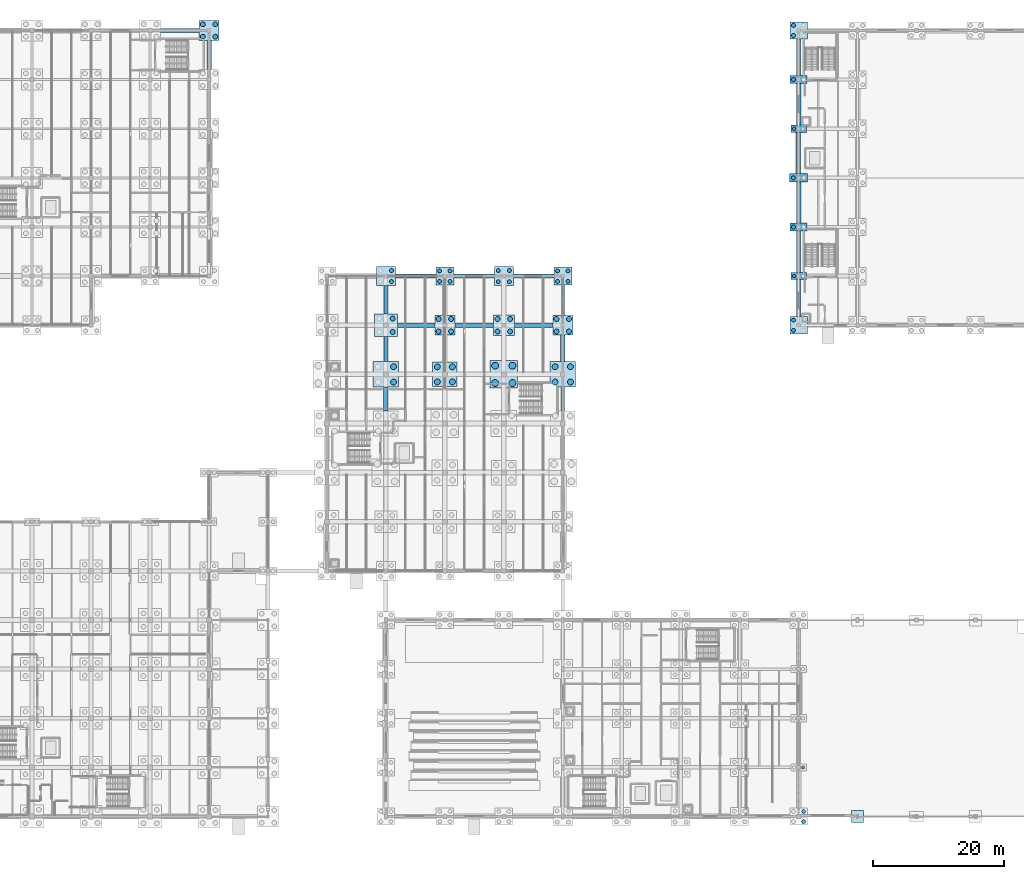
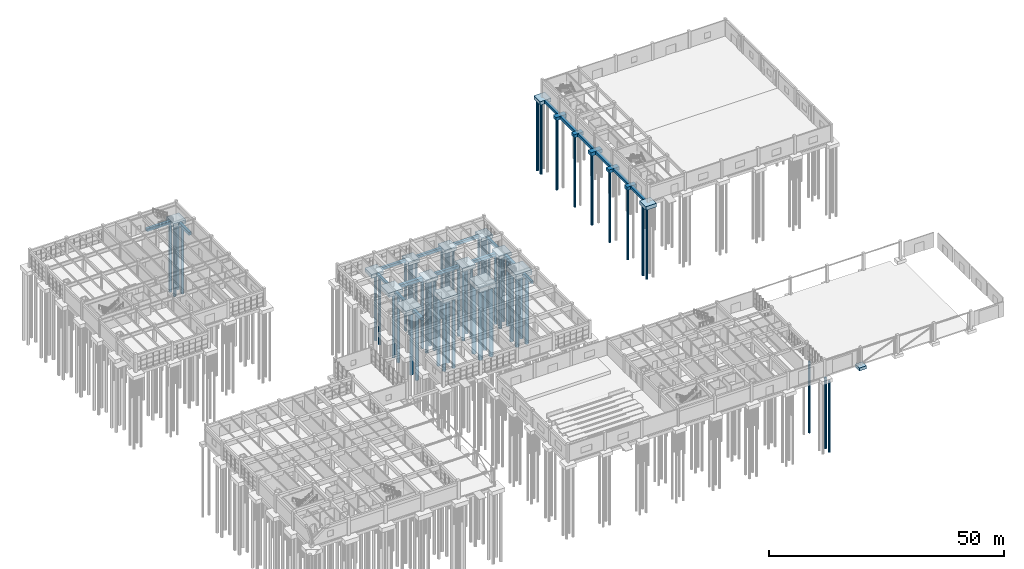
# One storey, part 7 of 93: 58 piles, 41 footings.
"""IFC4 building model written with IfcOpenShell, lengths in metres."""

from ifc_helpers import new_model, si_unit, direction, frame, origin, origin_2d, place, context, subcontext, project, spatial, rectangle, circle, extrude, material, material_profile, profile_set, type_object, element, save


model = new_model("IFC4")

# Units and contexts
model_context = context("Model", 3, precision=1e-05, world=origin(), true_north=direction((0.0, 1.0)))
body_context = subcontext(model_context, "Body", "Model", "MODEL_VIEW")
ifc_project = project(units=[si_unit("LENGTHUNIT", "METRE"), si_unit("AREAUNIT", "SQUARE_METRE"), si_unit("VOLUMEUNIT", "CUBIC_METRE"), si_unit("PLANEANGLEUNIT", "RADIAN"), si_unit("MASSUNIT", "GRAM", prefix="KILO")], contexts=[model_context])

# Site, building, storey
site_placement = place(None, origin())
site = spatial("IfcSite", under=ifc_project, at=site_placement, CompositionType="ELEMENT")
building_placement = place(site_placement, origin())
building = spatial("IfcBuilding", under=site, at=building_placement, Name="Marnridge Secondary College", CompositionType="ELEMENT")
storey_placement = place(building_placement, origin())
storey = spatial("IfcBuildingStorey", under=building, at=storey_placement, Name="L00", CompositionType="ELEMENT", Elevation=0.0)

# Footings
ifc_material_1 = material(Name="Concrete C40/50 (AS 3600 N40, 40 MPa)", Category="concrete")
footing_type_1 = type_object("IfcFootingType", Name="FT-PC-2311", PredefinedType="PILE_CAP", material=ifc_material_1)
for number, where, z_axis, x_axis, name in (
    (1, (126.0, 82.5, -1.06982421875), (0.0, 0.0, 1.0), (1.0, 0.0, 0.0), "Pile cap PC-128"),
    (2, (126.0, 105.0, -1.06982421875), (0.0, 0.0, 1.0), (1.0, 0.0, 0.0), "Pile cap PC-152"),
):
    element("IfcFooting", number, at=place(storey_placement, frame(where, z_axis=z_axis, x_axis=x_axis)), inside=storey, type_object=footing_type_1, Name=name, PredefinedType="PILE_CAP", context=body_context, shape_type="SweptSolid", body=[
        extrude(rectangle(XDim=2.35009765625, YDim=1.10009765625, at=origin_2d()), origin(), (0.0, 0.0, 1.0), 0.820068359375),
    ])
ifc_material_2 = material(Name="Concrete C40/50 (AS 3600 N40, 40 MPa)", Category="concrete")
footing_type_2 = type_object("IfcFootingType", Name="FT-PC-2612", PredefinedType="PILE_CAP", material=ifc_material_2)
for number, where, z_axis, x_axis, name in (
    (3, (126.0, 90.0, -1.10986328125), (0.0, 0.0, 1.0), (1.0, 0.0, 0.0), "Pile cap PC-136"),
    (4, (126.0, 112.5, -1.10986328125), (0.0, 0.0, 1.0), (1.0, 0.0, 0.0), "Pile cap PC-160"),
):
    element("IfcFooting", number, at=place(storey_placement, frame(where, z_axis=z_axis, x_axis=x_axis)), inside=storey, type_object=footing_type_2, Name=name, PredefinedType="PILE_CAP", context=body_context, shape_type="SweptSolid", body=[
        extrude(rectangle(XDim=2.60009765625, YDim=1.199951171875, at=origin_2d()), origin(), (0.0, 0.0, 1.0), 0.860107421875),
    ])
ifc_material_3 = material(Name="Concrete C40/50 (AS 3600 N40, 40 MPa)", Category="concrete")
footing_type_3 = type_object("IfcFootingType", Name="FT-PC-2650", PredefinedType="PILE_CAP", material=ifc_material_3)
for number, where, z_axis, x_axis, name in (
    (5, (126.0, 75.0, -1.169921875), (0.0, 0.0, 1.0), (1.0, 0.0, 0.0), "Pile cap PC-112"),
    (6, (126.0, 120.0, -1.169921875), (0.0, 0.0, 1.0), (1.0, 0.0, 0.0), "Pile cap PC-168"),
):
    element("IfcFooting", number, at=place(storey_placement, frame(where, z_axis=z_axis, x_axis=x_axis)), inside=storey, type_object=footing_type_3, Name=name, PredefinedType="PILE_CAP", context=body_context, shape_type="SweptSolid", body=[
        extrude(rectangle(XDim=2.64990234375, YDim=2.64990234375, at=origin_2d()), origin(), (0.0, 0.0, 1.0), 0.919921875),
    ])
ifc_material_4 = material(Name="Concrete C40/50 (AS 3600 N40, 40 MPa)", Category="concrete")
footing_type_4 = type_object("IfcFootingType", Name="FT-PC-2713", PredefinedType="PILE_CAP", material=ifc_material_4)
footing_1_placement = place(storey_placement, frame((126.0, 97.5, -1.14990234375), z_axis=(0.0, 0.0, 1.0), x_axis=(1.0, 0.0, 0.0)))
element("IfcFooting", 7, at=footing_1_placement, inside=storey, type_object=footing_type_4, Name="Pile cap PC-144", PredefinedType="PILE_CAP", context=body_context, shape_type="SweptSolid", body=[
    extrude(rectangle(XDim=2.75, YDim=1.300048828125, at=origin_2d()), origin(), (0.0, 0.0, 1.0), 0.89990234375),
])
ifc_material_5 = material(Name="Concrete C40/50 (AS 3600 N40, 40 MPa)", Category="concrete")
footing_type_5 = type_object("IfcFootingType", Name="FT-PC-2750", PredefinedType="PILE_CAP", material=ifc_material_5)
for number, where, z_axis, x_axis, name in (
    (8, (72.0, 82.5, -1.2001953125), (0.0, 0.0, 1.0), (1.0, 0.0, 0.0), "Pile cap PC-125"),
    (9, (90.0, 82.5, -1.2001953125), (0.0, 0.0, 1.0), (1.0, 0.0, 0.0), "Pile cap PC-127"),
):
    element("IfcFooting", number, at=place(storey_placement, frame(where, z_axis=z_axis, x_axis=x_axis)), inside=storey, type_object=footing_type_5, Name=name, PredefinedType="PILE_CAP", context=body_context, shape_type="SweptSolid", body=[
        extrude(rectangle(XDim=2.75, YDim=2.75, at=origin_2d()), origin(), (0.0, 0.0, 1.0), 0.949951171875),
    ])
ifc_material_6 = material(Name="Concrete C40/50 (AS 3600 N40, 40 MPa)", Category="concrete")
footing_type_6 = type_object("IfcFootingType", Name="FT-PC-2900", PredefinedType="PILE_CAP", material=ifc_material_6)
for number, where, z_axis, x_axis, name in (
    (10, (63.0, 82.5, -1.22998046875), (0.0, 0.0, 1.0), (1.0, 0.0, 0.0), "Pile cap PC-124"),
    (11, (81.0, 82.5, -1.22998046875), (0.0, 0.0, 1.0), (1.0, 0.0, 0.0), "Pile cap PC-126"),
):
    element("IfcFooting", number, at=place(storey_placement, frame(where, z_axis=z_axis, x_axis=x_axis)), inside=storey, type_object=footing_type_6, Name=name, PredefinedType="PILE_CAP", context=body_context, shape_type="SweptSolid", body=[
        extrude(rectangle(XDim=2.89990234375, YDim=2.89990234375, at=origin_2d()), origin(), (0.0, 0.0, 1.0), 0.97998046875),
    ])
ifc_material_7 = material(Name="Concrete C40/50 (AS 3600 N40, 40 MPa)", Category="concrete")
footing_type_7 = type_object("IfcFootingType", Name="FT-PC-3050", PredefinedType="PILE_CAP", material=ifc_material_7)
for number, where, z_axis, x_axis, name in (
    (12, (72.0, 75.0, -1.25), (0.0, 0.0, 1.0), (1.0, 0.0, 0.0), "Pile cap PC-109"),
    (13, (90.0, 75.0, -1.25), (0.0, 0.0, 1.0), (1.0, 0.0, 0.0), "Pile cap PC-111"),
    (14, (36.0, 120.0, -1.25), (0.0, 0.0, 1.0), (1.0, 0.0, 0.0), "Pile cap PC-167"),
):
    element("IfcFooting", number, at=place(storey_placement, frame(where, z_axis=z_axis, x_axis=x_axis)), inside=storey, type_object=footing_type_7, Name=name, PredefinedType="PILE_CAP", context=body_context, shape_type="SweptSolid", body=[
        extrude(rectangle(XDim=3.050048828125, YDim=3.050048828125, at=origin_2d()), origin(), (0.0, 0.0, 1.0), 1.0),
    ])
ifc_material_8 = material(Name="Concrete C40/50 (AS 3600 N40, 40 MPa)", Category="concrete")
footing_type_8 = type_object("IfcFootingType", Name="FT-PC-3200", PredefinedType="PILE_CAP", material=ifc_material_8)
footing_2_placement = place(storey_placement, frame((81.0, 75.0, -1.2998046875), z_axis=(0.0, 0.0, 1.0), x_axis=(1.0, 0.0, 0.0)))
element("IfcFooting", 15, at=footing_2_placement, inside=storey, type_object=footing_type_8, Name="Pile cap PC-110", PredefinedType="PILE_CAP", context=body_context, shape_type="SweptSolid", body=[
    extrude(rectangle(XDim=3.199951171875, YDim=3.199951171875, at=origin_2d()), origin(), (0.0, 0.0, 1.0), 1.050048828125),
])
ifc_material_9 = material(Name="Concrete C40/50 (AS 3600 N40, 40 MPa)", Category="concrete")
footing_type_9 = type_object("IfcFootingType", Name="FT-PC-3500", PredefinedType="PILE_CAP", material=ifc_material_9)
footing_3_placement = place(storey_placement, frame((63.0, 75.0, -1.39990234375), z_axis=(0.0, 0.0, 1.0), x_axis=(1.0, 0.0, 0.0)))
element("IfcFooting", 16, at=footing_3_placement, inside=storey, type_object=footing_type_9, Name="Pile cap PC-108", PredefinedType="PILE_CAP", context=body_context, shape_type="SweptSolid", body=[
    extrude(rectangle(XDim=3.5, YDim=3.5, at=origin_2d()), origin(), (0.0, 0.0, 1.0), 1.14990234375),
])
ifc_material_10 = material(Name="Concrete C40/50 (AS 3600 N40, 40 MPa)", Category="concrete")
footing_type_10 = type_object("IfcFootingType", Name="FT-PC-3750", PredefinedType="PILE_CAP", material=ifc_material_10)
footing_4_placement = place(storey_placement, frame((72.0, 67.5, -1.4501953125), z_axis=(0.0, 0.0, 1.0), x_axis=(1.0, 0.0, 0.0)))
element("IfcFooting", 17, at=footing_4_placement, inside=storey, type_object=footing_type_10, Name="Pile cap PC-101", PredefinedType="PILE_CAP", context=body_context, shape_type="SweptSolid", body=[
    extrude(rectangle(XDim=3.75, YDim=3.75, at=origin_2d()), origin(), (0.0, 0.0, 1.0), 1.199951171875),
])
ifc_material_11 = material(Name="Concrete C40/50 (AS 3600 N40, 40 MPa)", Category="concrete")
footing_type_11 = type_object("IfcFootingType", Name="FT-PC-3900", PredefinedType="PILE_CAP", material=ifc_material_11)
for number, where, z_axis, x_axis, name in (
    (18, (63.0, 67.5, -1.5), (0.0, 0.0, 1.0), (1.0, 0.0, 0.0), "Pile cap PC-100"),
    (19, (90.0, 67.5, -1.5), (0.0, 0.0, 1.0), (1.0, 0.0, 0.0), "Pile cap PC-103"),
):
    element("IfcFooting", number, at=place(storey_placement, frame(where, z_axis=z_axis, x_axis=x_axis)), inside=storey, type_object=footing_type_11, Name=name, PredefinedType="PILE_CAP", context=body_context, shape_type="SweptSolid", body=[
        extrude(rectangle(XDim=3.89990234375, YDim=3.89990234375, at=origin_2d()), origin(), (0.0, 0.0, 1.0), 1.25),
    ])
ifc_material_12 = material(Name="Concrete C50/60 (AS 3600 N50, 50 MPa)", Category="concrete")
footing_type_12 = type_object("IfcFootingType", Name="FT-PC-4200", PredefinedType="PILE_CAP", material=ifc_material_12)
footing_5_placement = place(storey_placement, frame((81.0, 67.5, -1.5498046875), z_axis=(0.0, 0.0, 1.0), x_axis=(1.0, 0.0, 0.0)))
element("IfcFooting", 20, at=footing_5_placement, inside=storey, type_object=footing_type_12, Name="Pile cap PC-102", PredefinedType="PILE_CAP", context=body_context, shape_type="SweptSolid", body=[
    extrude(rectangle(XDim=4.199951171875, YDim=4.199951171875, at=origin_2d()), origin(), (0.0, 0.0, 1.0), 1.300048828125),
])
ifc_material_13 = material(Name="Concrete C40/50 (AS 3600 N40, 40 MPa)", Category="concrete")
footing_type_13 = type_object("IfcFootingType", Name="FT-PF-1800", PredefinedType="PAD_FOOTING", material=ifc_material_13)
footing_6_placement = place(storey_placement, frame((135.0, 0.0, -1.0), z_axis=(0.0, 0.0, 1.0), x_axis=(1.0, 0.0, 0.0)))
element("IfcFooting", 21, at=footing_6_placement, inside=storey, type_object=footing_type_13, Name="Pad footing PF-001", PredefinedType="PAD_FOOTING", context=body_context, shape_type="SweptSolid", body=[
    extrude(rectangle(XDim=1.800048828125, YDim=1.800048828125, at=origin_2d()), origin(), (0.0, 0.0, 1.0), 0.75),
])
ifc_material_14 = material(Name="Concrete C40/50 (AS 3600 N40, 40 MPa)", Category="concrete")
footing_type_14 = type_object("IfcFootingType", Name="FT-SF-600", PredefinedType="STRIP_FOOTING", material=ifc_material_14)
footing_7_placement = place(storey_placement, frame((63.0, 71.35009765625, -0.9501953125), z_axis=(0.0, 0.0, 1.0), x_axis=(1.0, 0.0, 0.0)))
element("IfcFooting", 22, at=footing_7_placement, inside=storey, type_object=footing_type_14, Name="Ground strip footing SF-083", PredefinedType="STRIP_FOOTING", context=body_context, shape_type="SweptSolid", body=[
    extrude(rectangle(XDim=0.60009765625, YDim=3.800048828125, at=origin_2d()), origin(), (0.0, 0.0, 1.0), 0.699951171875),
])
footing_8_placement = place(storey_placement, frame((63.0, 78.89990234375, -0.9501953125), z_axis=(0.0, 0.0, 1.0), x_axis=(1.0, 0.0, 0.0)))
element("IfcFooting", 23, at=footing_8_placement, inside=storey, type_object=footing_type_14, Name="Ground strip footing SF-085", PredefinedType="STRIP_FOOTING", context=body_context, shape_type="SweptSolid", body=[
    extrude(rectangle(XDim=0.60009765625, YDim=4.300048828125, at=origin_2d()), origin(), (0.0, 0.0, 1.0), 0.699951171875),
])
for number, where, z_axis, x_axis, name in (
    (24, (67.53759765625, 82.5, -0.9501953125), (0.0, 0.0, 1.0), (1.0, 0.0, 0.0), "Ground strip footing SF-086"),
    (25, (76.46240234375, 82.5, -0.9501953125), (0.0, 0.0, 1.0), (1.0, 0.0, 0.0), "Ground strip footing SF-092"),
    (26, (85.53759765625, 82.5, -0.9501953125), (0.0, 0.0, 1.0), (1.0, 0.0, 0.0), "Ground strip footing SF-098"),
):
    element("IfcFooting", number, at=place(storey_placement, frame(where, z_axis=z_axis, x_axis=x_axis)), inside=storey, type_object=footing_type_14, Name=name, PredefinedType="STRIP_FOOTING", context=body_context, shape_type="SweptSolid", body=[
        extrude(rectangle(XDim=6.175048828125, YDim=0.60009765625, at=origin_2d()), origin(), (0.0, 0.0, 1.0), 0.699951171875),
    ])
footing_9_placement = place(storey_placement, frame((90.0, 63.71240234375, -0.9501953125), z_axis=(0.0, 0.0, 1.0), x_axis=(1.0, 0.0, 0.0)))
element("IfcFooting", 27, at=footing_9_placement, inside=storey, type_object=footing_type_14, Name="Ground strip footing SF-109", PredefinedType="STRIP_FOOTING", context=body_context, shape_type="SweptSolid", body=[
    extrude(rectangle(XDim=0.60009765625, YDim=3.675048828125, at=origin_2d()), origin(), (0.0, 0.0, 1.0), 0.699951171875),
])
footing_10_placement = place(storey_placement, frame((90.0, 78.824951171875, -0.9501953125), z_axis=(0.0, 0.0, 1.0), x_axis=(1.0, 0.0, 0.0)))
element("IfcFooting", 28, at=footing_10_placement, inside=storey, type_object=footing_type_14, Name="Ground strip footing SF-111", PredefinedType="STRIP_FOOTING", context=body_context, shape_type="SweptSolid", body=[
    extrude(rectangle(XDim=0.60009765625, YDim=4.60009765625, at=origin_2d()), origin(), (0.0, 0.0, 1.0), 0.699951171875),
])
footing_11_placement = place(storey_placement, frame((126.0, 79.137451171875, -0.9501953125), z_axis=(0.0, 0.0, 1.0), x_axis=(1.0, 0.0, 0.0)))
element("IfcFooting", 29, at=footing_11_placement, inside=storey, type_object=footing_type_14, Name="Ground strip footing SF-127", PredefinedType="STRIP_FOOTING", context=body_context, shape_type="SweptSolid", body=[
    extrude(rectangle(XDim=0.60009765625, YDim=5.625, at=origin_2d()), origin(), (0.0, 0.0, 1.0), 0.699951171875),
])
footing_12_placement = place(storey_placement, frame((126.0, 86.22509765625, -0.9501953125), z_axis=(0.0, 0.0, 1.0), x_axis=(1.0, 0.0, 0.0)))
element("IfcFooting", 30, at=footing_12_placement, inside=storey, type_object=footing_type_14, Name="Ground strip footing SF-129", PredefinedType="STRIP_FOOTING", context=body_context, shape_type="SweptSolid", body=[
    extrude(rectangle(XDim=0.60009765625, YDim=6.35009765625, at=origin_2d()), origin(), (0.0, 0.0, 1.0), 0.699951171875),
])
footing_13_placement = place(storey_placement, frame((126.0, 101.300048828125, -0.9501953125), z_axis=(0.0, 0.0, 1.0), x_axis=(1.0, 0.0, 0.0)))
element("IfcFooting", 31, at=footing_13_placement, inside=storey, type_object=footing_type_14, Name="Ground strip footing SF-131", PredefinedType="STRIP_FOOTING", context=body_context, shape_type="SweptSolid", body=[
    extrude(rectangle(XDim=0.60009765625, YDim=6.300048828125, at=origin_2d()), origin(), (0.0, 0.0, 1.0), 0.699951171875),
])
footing_14_placement = place(storey_placement, frame((126.0, 115.887451171875, -0.9501953125), z_axis=(0.0, 0.0, 1.0), x_axis=(1.0, 0.0, 0.0)))
element("IfcFooting", 32, at=footing_14_placement, inside=storey, type_object=footing_type_14, Name="Ground strip footing SF-133", PredefinedType="STRIP_FOOTING", context=body_context, shape_type="SweptSolid", body=[
    extrude(rectangle(XDim=0.60009765625, YDim=5.574951171875, at=origin_2d()), origin(), (0.0, 0.0, 1.0), 0.699951171875),
])
ifc_material_15 = material(Name="Concrete C40/50 (AS 3600 N40, 40 MPa)", Category="concrete")
footing_type_15 = type_object("IfcFootingType", Name="FT-SF-680", PredefinedType="STRIP_FOOTING", material=ifc_material_15)
footing_15_placement = place(storey_placement, frame((31.53759765625, 120.0, -1.009765625), z_axis=(0.0, 0.0, 1.0), x_axis=(1.0, 0.0, 0.0)))
element("IfcFooting", 33, at=footing_15_placement, inside=storey, type_object=footing_type_15, Name="Ground strip footing SF-034", PredefinedType="STRIP_FOOTING", context=body_context, shape_type="SweptSolid", body=[
    extrude(rectangle(XDim=5.875, YDim=0.679931640625, at=origin_2d()), origin(), (0.0, 0.0, 1.0), 0.760009765625),
])
footing_16_placement = place(storey_placement, frame((36.0, 116.25, -1.009765625), z_axis=(0.0, 0.0, 1.0), x_axis=(1.0, 0.0, 0.0)))
element("IfcFooting", 34, at=footing_16_placement, inside=storey, type_object=footing_type_15, Name="Ground strip footing SF-050", PredefinedType="STRIP_FOOTING", context=body_context, shape_type="SweptSolid", body=[
    extrude(rectangle(XDim=0.679931640625, YDim=4.449951171875, at=origin_2d()), origin(), (0.0, 0.0, 1.0), 0.760009765625),
])
footing_17_placement = place(storey_placement, frame((63.0, 63.71240234375, -1.009765625), z_axis=(0.0, 0.0, 1.0), x_axis=(1.0, 0.0, 0.0)))
element("IfcFooting", 35, at=footing_17_placement, inside=storey, type_object=footing_type_15, Name="Ground strip footing SF-082", PredefinedType="STRIP_FOOTING", context=body_context, shape_type="SweptSolid", body=[
    extrude(rectangle(XDim=0.679931640625, YDim=3.675048828125, at=origin_2d()), origin(), (0.0, 0.0, 1.0), 0.760009765625),
])
for number, where, z_axis, x_axis, name in (
    (36, (76.46240234375, 75.0, -1.009765625), (0.0, 0.0, 1.0), (1.0, 0.0, 0.0), "Ground strip footing SF-091"),
    (37, (85.53759765625, 75.0, -1.009765625), (0.0, 0.0, 1.0), (1.0, 0.0, 0.0), "Ground strip footing SF-097"),
):
    element("IfcFooting", number, at=place(storey_placement, frame(where, z_axis=z_axis, x_axis=x_axis)), inside=storey, type_object=footing_type_15, Name=name, PredefinedType="STRIP_FOOTING", context=body_context, shape_type="SweptSolid", body=[
        extrude(rectangle(XDim=5.875, YDim=0.679931640625, at=origin_2d()), origin(), (0.0, 0.0, 1.0), 0.760009765625),
    ])
footing_18_placement = place(storey_placement, frame((90.0, 71.46240234375, -1.009765625), z_axis=(0.0, 0.0, 1.0), x_axis=(1.0, 0.0, 0.0)))
element("IfcFooting", 38, at=footing_18_placement, inside=storey, type_object=footing_type_15, Name="Ground strip footing SF-110", PredefinedType="STRIP_FOOTING", context=body_context, shape_type="SweptSolid", body=[
    extrude(rectangle(XDim=0.679931640625, YDim=4.02490234375, at=origin_2d()), origin(), (0.0, 0.0, 1.0), 0.760009765625),
])
footing_19_placement = place(storey_placement, frame((126.0, 93.72509765625, -1.009765625), z_axis=(0.0, 0.0, 1.0), x_axis=(1.0, 0.0, 0.0)))
element("IfcFooting", 39, at=footing_19_placement, inside=storey, type_object=footing_type_15, Name="Ground strip footing SF-130", PredefinedType="STRIP_FOOTING", context=body_context, shape_type="SweptSolid", body=[
    extrude(rectangle(XDim=0.679931640625, YDim=6.25, at=origin_2d()), origin(), (0.0, 0.0, 1.0), 0.760009765625),
])
footing_20_placement = place(storey_placement, frame((126.0, 108.72509765625, -1.009765625), z_axis=(0.0, 0.0, 1.0), x_axis=(1.0, 0.0, 0.0)))
element("IfcFooting", 40, at=footing_20_placement, inside=storey, type_object=footing_type_15, Name="Ground strip footing SF-132", PredefinedType="STRIP_FOOTING", context=body_context, shape_type="SweptSolid", body=[
    extrude(rectangle(XDim=0.679931640625, YDim=6.35009765625, at=origin_2d()), origin(), (0.0, 0.0, 1.0), 0.760009765625),
])
ifc_material_16 = material(Name="Concrete C40/50 (AS 3600 N40, 40 MPa)", Category="concrete")
footing_type_16 = type_object("IfcFootingType", Name="FT-SF-760", PredefinedType="STRIP_FOOTING", material=ifc_material_16)
footing_21_placement = place(storey_placement, frame((67.612548828125, 75.0, -1.06982421875), z_axis=(0.0, 0.0, 1.0), x_axis=(1.0, 0.0, 0.0)))
element("IfcFooting", 41, at=footing_21_placement, inside=storey, type_object=footing_type_16, Name="Ground strip footing SF-084", PredefinedType="STRIP_FOOTING", context=body_context, shape_type="SweptSolid", body=[
    extrude(rectangle(XDim=5.72509765625, YDim=0.760009765625, at=origin_2d()), origin(), (0.0, 0.0, 1.0), 0.820068359375),
])

# Piles
ifc_material_17 = material(Name="Concrete C50/60 (AS 3600 N50, 50 MPa)", Category="concrete")
ifc_material_profile_1 = material_profile(ifc_material_17, circle(Radius=0.52490234375, at=origin_2d()), Name="PILE D1050")
ifc_profile_set_1 = profile_set([ifc_material_profile_1], Name="Concrete C50/60 (AS 3600 N50, 50 MPa)")
pile_type_1 = type_object("IfcPileType", Name="PL-D1050-N50", PredefinedType="BORED", material=ifc_profile_set_1)
for number, where, z_axis, x_axis, name in (
    (42, (79.675048828125, 66.175048828125, -1.449951171875), (0.0, 0.0, -1.0), (1.0, 0.0, 0.0), "Bored pile PL-381"),
    (43, (82.324951171875, 66.175048828125, -1.449951171875), (0.0, 0.0, -1.0), (1.0, 0.0, 0.0), "Bored pile PL-382"),
    (44, (79.675048828125, 68.824951171875, -1.449951171875), (0.0, 0.0, -1.0), (1.0, 0.0, 0.0), "Bored pile PL-383"),
    (45, (82.324951171875, 68.824951171875, -1.449951171875), (0.0, 0.0, -1.0), (1.0, 0.0, 0.0), "Bored pile PL-384"),
):
    element("IfcPile", number, at=place(storey_placement, frame(where, z_axis=z_axis, x_axis=x_axis)), inside=storey, type_object=pile_type_1, Name=name, PredefinedType="BORED", context=body_context, shape_type="SweptSolid", body=[
        extrude(circle(Radius=0.52490234375, at=origin_2d()), origin(), (0.0, 0.0, 1.0), 18.050048828125),
    ])
ifc_material_18 = material(Name="Concrete C40/50 (AS 3600 N40, 40 MPa)", Category="concrete")
ifc_material_profile_2 = material_profile(ifc_material_18, circle(Radius=0.25, at=origin_2d()), Name="PILE D500")
ifc_profile_set_2 = profile_set([ifc_material_profile_2], Name="Concrete C40/50 (AS 3600 N40, 40 MPa)")
pile_type_2 = type_object("IfcPileType", Name="PL-D500-N40", PredefinedType="BORED", material=ifc_profile_set_2)
for number, where, z_axis, x_axis, name in (
    (46, (126.675048828125, 7.5, -0.969970703125), (0.0, 0.0, -1.0), (1.0, 0.0, 0.0), "Bored pile PL-102"),
    (47, (125.324951171875, 82.5, -0.969970703125), (0.0, 0.0, -1.0), (1.0, 0.0, 0.0), "Bored pile PL-485"),
    (48, (125.324951171875, 105.0, -0.969970703125), (0.0, 0.0, -1.0), (1.0, 0.0, 0.0), "Bored pile PL-575"),
):
    element("IfcPile", number, at=place(storey_placement, frame(where, z_axis=z_axis, x_axis=x_axis)), inside=storey, type_object=pile_type_2, Name=name, PredefinedType="BORED", context=body_context, shape_type="SweptSolid", body=[
        extrude(circle(Radius=0.25, at=origin_2d()), origin(), (0.0, 0.0, 1.0), 18.530029296875),
    ])
ifc_material_19 = material(Name="Concrete C40/50 (AS 3600 N40, 40 MPa)", Category="concrete")
ifc_material_profile_3 = material_profile(ifc_material_19, circle(Radius=0.300048828125, at=origin_2d()), Name="PILE D600")
ifc_profile_set_3 = profile_set([ifc_material_profile_3], Name="Concrete C40/50 (AS 3600 N40, 40 MPa)")
pile_type_3 = type_object("IfcPileType", Name="PL-D600-N40", PredefinedType="BORED", material=ifc_profile_set_3)
for number, where, z_axis, x_axis, name in (
    (49, (126.77490234375, -0.77490234375, -1.070068359375), (0.0, 0.0, -1.0), (1.0, 0.0, 0.0), "Bored pile PL-054"),
    (50, (126.77490234375, 0.77490234375, -1.070068359375), (0.0, 0.0, -1.0), (1.0, 0.0, 0.0), "Bored pile PL-056"),
    (51, (125.22509765625, 74.22509765625, -1.070068359375), (0.0, 0.0, -1.0), (1.0, 0.0, 0.0), "Bored pile PL-421"),
    (52, (125.22509765625, 75.77490234375, -1.070068359375), (0.0, 0.0, -1.0), (1.0, 0.0, 0.0), "Bored pile PL-423"),
):
    element("IfcPile", number, at=place(storey_placement, frame(where, z_axis=z_axis, x_axis=x_axis)), inside=storey, type_object=pile_type_3, Name=name, PredefinedType="BORED", context=body_context, shape_type="SweptSolid", body=[
        extrude(circle(Radius=0.300048828125, at=origin_2d()), origin(), (0.0, 0.0, 1.0), 18.429931640625),
    ])
for number, where, z_axis, x_axis, name in (
    (53, (63.85009765625, 81.64990234375, -1.1298828125), (0.0, 0.0, -1.0), (1.0, 0.0, 0.0), "Bored pile PL-470"),
    (54, (63.85009765625, 83.35009765625, -1.1298828125), (0.0, 0.0, -1.0), (1.0, 0.0, 0.0), "Bored pile PL-472"),
):
    element("IfcPile", number, at=place(storey_placement, frame(where, z_axis=z_axis, x_axis=x_axis)), inside=storey, type_object=pile_type_3, Name=name, PredefinedType="BORED", context=body_context, shape_type="SweptSolid", body=[
        extrude(circle(Radius=0.300048828125, at=origin_2d()), origin(), (0.0, 0.0, 1.0), 18.3701171875),
    ])
for number, where, z_axis, x_axis, name in (
    (55, (71.199951171875, 81.699951171875, -1.10009765625), (0.0, 0.0, -1.0), (1.0, 0.0, 0.0), "Bored pile PL-473"),
    (56, (72.800048828125, 81.699951171875, -1.10009765625), (0.0, 0.0, -1.0), (1.0, 0.0, 0.0), "Bored pile PL-474"),
    (57, (71.199951171875, 83.300048828125, -1.10009765625), (0.0, 0.0, -1.0), (1.0, 0.0, 0.0), "Bored pile PL-475"),
    (58, (72.800048828125, 83.300048828125, -1.10009765625), (0.0, 0.0, -1.0), (1.0, 0.0, 0.0), "Bored pile PL-476"),
):
    element("IfcPile", number, at=place(storey_placement, frame(where, z_axis=z_axis, x_axis=x_axis)), inside=storey, type_object=pile_type_3, Name=name, PredefinedType="BORED", context=body_context, shape_type="SweptSolid", body=[
        extrude(circle(Radius=0.300048828125, at=origin_2d()), origin(), (0.0, 0.0, 1.0), 18.39990234375),
    ])
for number, where, z_axis, x_axis, name in (
    (59, (80.14990234375, 81.64990234375, -1.1298828125), (0.0, 0.0, -1.0), (1.0, 0.0, 0.0), "Bored pile PL-477"),
    (60, (81.85009765625, 81.64990234375, -1.1298828125), (0.0, 0.0, -1.0), (1.0, 0.0, 0.0), "Bored pile PL-478"),
    (61, (80.14990234375, 83.35009765625, -1.1298828125), (0.0, 0.0, -1.0), (1.0, 0.0, 0.0), "Bored pile PL-479"),
    (62, (81.85009765625, 83.35009765625, -1.1298828125), (0.0, 0.0, -1.0), (1.0, 0.0, 0.0), "Bored pile PL-480"),
):
    element("IfcPile", number, at=place(storey_placement, frame(where, z_axis=z_axis, x_axis=x_axis)), inside=storey, type_object=pile_type_3, Name=name, PredefinedType="BORED", context=body_context, shape_type="SweptSolid", body=[
        extrude(circle(Radius=0.300048828125, at=origin_2d()), origin(), (0.0, 0.0, 1.0), 18.3701171875),
    ])
for number, where, z_axis, x_axis, name in (
    (63, (89.199951171875, 81.699951171875, -1.10009765625), (0.0, 0.0, -1.0), (1.0, 0.0, 0.0), "Bored pile PL-481"),
    (64, (90.800048828125, 81.699951171875, -1.10009765625), (0.0, 0.0, -1.0), (1.0, 0.0, 0.0), "Bored pile PL-482"),
    (65, (89.199951171875, 83.300048828125, -1.10009765625), (0.0, 0.0, -1.0), (1.0, 0.0, 0.0), "Bored pile PL-483"),
    (66, (90.800048828125, 83.300048828125, -1.10009765625), (0.0, 0.0, -1.0), (1.0, 0.0, 0.0), "Bored pile PL-484"),
):
    element("IfcPile", number, at=place(storey_placement, frame(where, z_axis=z_axis, x_axis=x_axis)), inside=storey, type_object=pile_type_3, Name=name, PredefinedType="BORED", context=body_context, shape_type="SweptSolid", body=[
        extrude(circle(Radius=0.300048828125, at=origin_2d()), origin(), (0.0, 0.0, 1.0), 18.39990234375),
    ])
pile_1_placement = place(storey_placement, frame((125.22509765625, 90.0, -1.010009765625), z_axis=(0.0, 0.0, -1.0), x_axis=(1.0, 0.0, 0.0)))
element("IfcPile", 67, at=pile_1_placement, inside=storey, type_object=pile_type_3, Name="Bored pile PL-515", PredefinedType="BORED", context=body_context, shape_type="SweptSolid", body=[
    extrude(circle(Radius=0.300048828125, at=origin_2d()), origin(), (0.0, 0.0, 1.0), 18.489990234375),
])
pile_2_placement = place(storey_placement, frame((125.199951171875, 97.5, -1.050048828125), z_axis=(0.0, 0.0, -1.0), x_axis=(1.0, 0.0, 0.0)))
element("IfcPile", 68, at=pile_2_placement, inside=storey, type_object=pile_type_3, Name="Bored pile PL-545", PredefinedType="BORED", context=body_context, shape_type="SweptSolid", body=[
    extrude(circle(Radius=0.300048828125, at=origin_2d()), origin(), (0.0, 0.0, 1.0), 18.449951171875),
])
pile_3_placement = place(storey_placement, frame((125.22509765625, 112.5, -1.010009765625), z_axis=(0.0, 0.0, -1.0), x_axis=(1.0, 0.0, 0.0)))
element("IfcPile", 69, at=pile_3_placement, inside=storey, type_object=pile_type_3, Name="Bored pile PL-605", PredefinedType="BORED", context=body_context, shape_type="SweptSolid", body=[
    extrude(circle(Radius=0.300048828125, at=origin_2d()), origin(), (0.0, 0.0, 1.0), 18.489990234375),
])
for number, where, z_axis, x_axis, name in (
    (70, (125.22509765625, 119.22509765625, -1.070068359375), (0.0, 0.0, -1.0), (1.0, 0.0, 0.0), "Bored pile PL-635"),
    (71, (125.22509765625, 120.77490234375, -1.070068359375), (0.0, 0.0, -1.0), (1.0, 0.0, 0.0), "Bored pile PL-637"),
):
    element("IfcPile", number, at=place(storey_placement, frame(where, z_axis=z_axis, x_axis=x_axis)), inside=storey, type_object=pile_type_3, Name=name, PredefinedType="BORED", context=body_context, shape_type="SweptSolid", body=[
        extrude(circle(Radius=0.300048828125, at=origin_2d()), origin(), (0.0, 0.0, 1.0), 18.429931640625),
    ])
ifc_material_20 = material(Name="Concrete C40/50 (AS 3600 N40, 40 MPa)", Category="concrete")
ifc_material_profile_4 = material_profile(ifc_material_20, circle(Radius=0.375, at=origin_2d()), Name="PILE D750")
ifc_profile_set_4 = profile_set([ifc_material_profile_4], Name="Concrete C40/50 (AS 3600 N40, 40 MPa)")
pile_type_4 = type_object("IfcPileType", Name="PL-D750-N40", PredefinedType="BORED", material=ifc_profile_set_4)
for number, where, z_axis, x_axis, name in (
    (72, (64.02490234375, 73.97509765625, -1.300048828125), (0.0, 0.0, -1.0), (1.0, 0.0, 0.0), "Bored pile PL-406"),
    (73, (64.02490234375, 76.02490234375, -1.300048828125), (0.0, 0.0, -1.0), (1.0, 0.0, 0.0), "Bored pile PL-408"),
):
    element("IfcPile", number, at=place(storey_placement, frame(where, z_axis=z_axis, x_axis=x_axis)), inside=storey, type_object=pile_type_4, Name=name, PredefinedType="BORED", context=body_context, shape_type="SweptSolid", body=[
        extrude(circle(Radius=0.375, at=origin_2d()), origin(), (0.0, 0.0, 1.0), 18.199951171875),
    ])
for number, where, z_axis, x_axis, name in (
    (74, (71.050048828125, 74.050048828125, -1.14990234375), (0.0, 0.0, -1.0), (1.0, 0.0, 0.0), "Bored pile PL-409"),
    (75, (72.949951171875, 74.050048828125, -1.14990234375), (0.0, 0.0, -1.0), (1.0, 0.0, 0.0), "Bored pile PL-410"),
    (76, (71.050048828125, 75.949951171875, -1.14990234375), (0.0, 0.0, -1.0), (1.0, 0.0, 0.0), "Bored pile PL-411"),
    (77, (72.949951171875, 75.949951171875, -1.14990234375), (0.0, 0.0, -1.0), (1.0, 0.0, 0.0), "Bored pile PL-412"),
):
    element("IfcPile", number, at=place(storey_placement, frame(where, z_axis=z_axis, x_axis=x_axis)), inside=storey, type_object=pile_type_4, Name=name, PredefinedType="BORED", context=body_context, shape_type="SweptSolid", body=[
        extrude(circle(Radius=0.375, at=origin_2d()), origin(), (0.0, 0.0, 1.0), 18.35009765625),
    ])
for number, where, z_axis, x_axis, name in (
    (78, (80.0400390625, 74.0400390625, -1.199951171875), (0.0, 0.0, -1.0), (1.0, 0.0, 0.0), "Bored pile PL-413"),
    (79, (81.9599609375, 74.0400390625, -1.199951171875), (0.0, 0.0, -1.0), (1.0, 0.0, 0.0), "Bored pile PL-414"),
    (80, (80.0400390625, 75.9599609375, -1.199951171875), (0.0, 0.0, -1.0), (1.0, 0.0, 0.0), "Bored pile PL-415"),
    (81, (81.9599609375, 75.9599609375, -1.199951171875), (0.0, 0.0, -1.0), (1.0, 0.0, 0.0), "Bored pile PL-416"),
):
    element("IfcPile", number, at=place(storey_placement, frame(where, z_axis=z_axis, x_axis=x_axis)), inside=storey, type_object=pile_type_4, Name=name, PredefinedType="BORED", context=body_context, shape_type="SweptSolid", body=[
        extrude(circle(Radius=0.375, at=origin_2d()), origin(), (0.0, 0.0, 1.0), 18.300048828125),
    ])
for number, where, z_axis, x_axis, name in (
    (82, (89.050048828125, 74.050048828125, -1.14990234375), (0.0, 0.0, -1.0), (1.0, 0.0, 0.0), "Bored pile PL-417"),
    (83, (90.949951171875, 74.050048828125, -1.14990234375), (0.0, 0.0, -1.0), (1.0, 0.0, 0.0), "Bored pile PL-418"),
    (84, (89.050048828125, 75.949951171875, -1.14990234375), (0.0, 0.0, -1.0), (1.0, 0.0, 0.0), "Bored pile PL-419"),
    (85, (90.949951171875, 75.949951171875, -1.14990234375), (0.0, 0.0, -1.0), (1.0, 0.0, 0.0), "Bored pile PL-420"),
    (86, (35.050048828125, 119.050048828125, -1.14990234375), (0.0, 0.0, -1.0), (1.0, 0.0, 0.0), "Bored pile PL-631"),
    (87, (36.949951171875, 119.050048828125, -1.14990234375), (0.0, 0.0, -1.0), (1.0, 0.0, 0.0), "Bored pile PL-632"),
    (88, (35.050048828125, 120.949951171875, -1.14990234375), (0.0, 0.0, -1.0), (1.0, 0.0, 0.0), "Bored pile PL-633"),
    (89, (36.949951171875, 120.949951171875, -1.14990234375), (0.0, 0.0, -1.0), (1.0, 0.0, 0.0), "Bored pile PL-634"),
):
    element("IfcPile", number, at=place(storey_placement, frame(where, z_axis=z_axis, x_axis=x_axis)), inside=storey, type_object=pile_type_4, Name=name, PredefinedType="BORED", context=body_context, shape_type="SweptSolid", body=[
        extrude(circle(Radius=0.375, at=origin_2d()), origin(), (0.0, 0.0, 1.0), 18.35009765625),
    ])
ifc_material_21 = material(Name="Concrete C50/60 (AS 3600 N50, 50 MPa)", Category="concrete")
ifc_material_profile_5 = material_profile(ifc_material_21, circle(Radius=0.449951171875, at=origin_2d()), Name="PILE D900")
ifc_profile_set_5 = profile_set([ifc_material_profile_5], Name="Concrete C50/60 (AS 3600 N50, 50 MPa)")
pile_type_5 = type_object("IfcPileType", Name="PL-D900-N50", PredefinedType="BORED", material=ifc_profile_set_5)
for number, where, z_axis, x_axis, name in (
    (90, (64.175048828125, 66.324951171875, -1.39990234375), (0.0, 0.0, -1.0), (1.0, 0.0, 0.0), "Bored pile PL-374"),
    (91, (64.175048828125, 68.675048828125, -1.39990234375), (0.0, 0.0, -1.0), (1.0, 0.0, 0.0), "Bored pile PL-376"),
):
    element("IfcPile", number, at=place(storey_placement, frame(where, z_axis=z_axis, x_axis=x_axis)), inside=storey, type_object=pile_type_5, Name=name, PredefinedType="BORED", context=body_context, shape_type="SweptSolid", body=[
        extrude(circle(Radius=0.449951171875, at=origin_2d()), origin(), (0.0, 0.0, 1.0), 18.10009765625),
    ])
for number, where, z_axis, x_axis, name in (
    (92, (70.85009765625, 66.35009765625, -1.35009765625), (0.0, 0.0, -1.0), (1.0, 0.0, 0.0), "Bored pile PL-377"),
    (93, (73.14990234375, 66.35009765625, -1.35009765625), (0.0, 0.0, -1.0), (1.0, 0.0, 0.0), "Bored pile PL-378"),
    (94, (70.85009765625, 68.64990234375, -1.35009765625), (0.0, 0.0, -1.0), (1.0, 0.0, 0.0), "Bored pile PL-379"),
    (95, (73.14990234375, 68.64990234375, -1.35009765625), (0.0, 0.0, -1.0), (1.0, 0.0, 0.0), "Bored pile PL-380"),
):
    element("IfcPile", number, at=place(storey_placement, frame(where, z_axis=z_axis, x_axis=x_axis)), inside=storey, type_object=pile_type_5, Name=name, PredefinedType="BORED", context=body_context, shape_type="SweptSolid", body=[
        extrude(circle(Radius=0.449951171875, at=origin_2d()), origin(), (0.0, 0.0, 1.0), 18.14990234375),
    ])
for number, where, z_axis, x_axis, name in (
    (96, (88.824951171875, 66.324951171875, -1.39990234375), (0.0, 0.0, -1.0), (1.0, 0.0, 0.0), "Bored pile PL-385"),
    (97, (91.175048828125, 66.324951171875, -1.39990234375), (0.0, 0.0, -1.0), (1.0, 0.0, 0.0), "Bored pile PL-386"),
    (98, (88.824951171875, 68.675048828125, -1.39990234375), (0.0, 0.0, -1.0), (1.0, 0.0, 0.0), "Bored pile PL-387"),
    (99, (91.175048828125, 68.675048828125, -1.39990234375), (0.0, 0.0, -1.0), (1.0, 0.0, 0.0), "Bored pile PL-388"),
):
    element("IfcPile", number, at=place(storey_placement, frame(where, z_axis=z_axis, x_axis=x_axis)), inside=storey, type_object=pile_type_5, Name=name, PredefinedType="BORED", context=body_context, shape_type="SweptSolid", body=[
        extrude(circle(Radius=0.449951171875, at=origin_2d()), origin(), (0.0, 0.0, 1.0), 18.10009765625),
    ])

save(model, "model.ifc")
